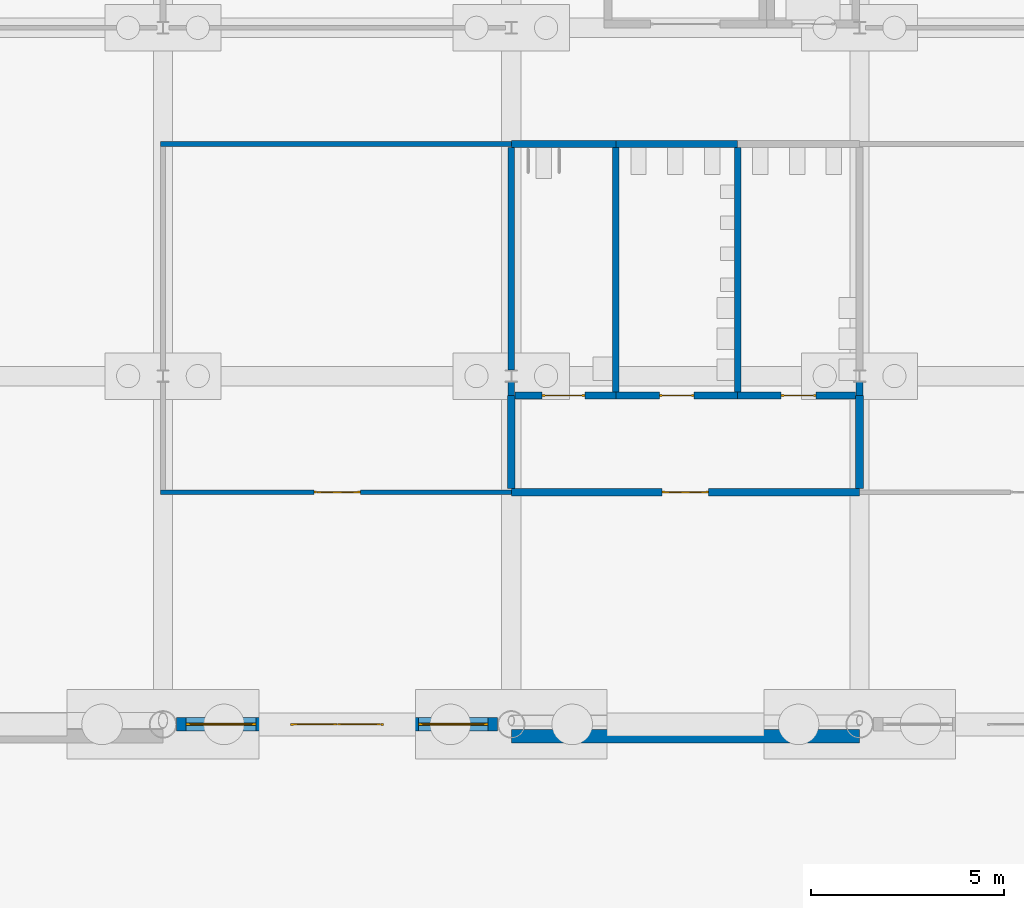
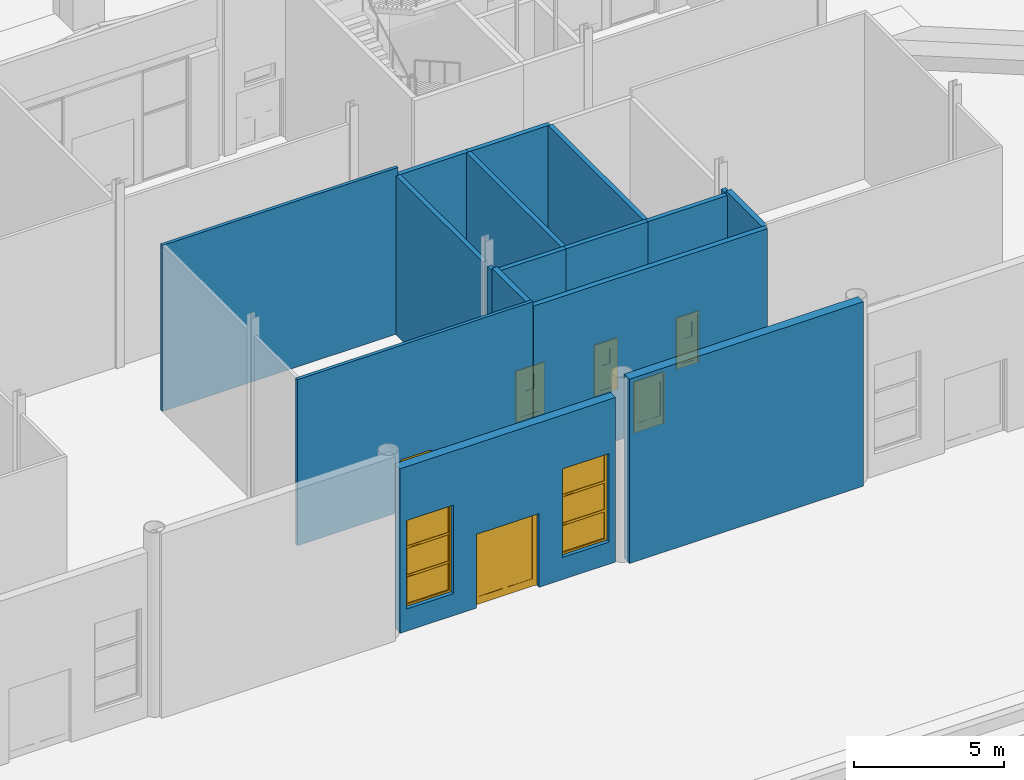
# One storey, part 110 of 250: 17 walls, 6 doors, 2 windows, 8 openings.
"""IFC4 building model written with IfcOpenShell, lengths in metres."""

from ifc_helpers import new_model, si_unit, direction, frame, frame_2d, origin, place, context, subcontext, project, spatial, polyline, rectangle, outline, extrude, material, layer, layer_set, type_object, element, fill, save


model = new_model("IFC4")

# Units and contexts
model_context = context("Model", 3, precision=1e-05, world=origin(), true_north=direction((0.0, 1.0)))
body_context = subcontext(model_context, "Body", "Model", "MODEL_VIEW")
ifc_project = project(units=[si_unit("LENGTHUNIT", "METRE"), si_unit("AREAUNIT", "SQUARE_METRE"), si_unit("VOLUMEUNIT", "CUBIC_METRE"), si_unit("PLANEANGLEUNIT", "RADIAN"), si_unit("MASSUNIT", "GRAM", prefix="KILO")], contexts=[model_context])

# Site, building, storey
site_placement = place(None, origin())
site = spatial("IfcSite", under=ifc_project, at=site_placement, CompositionType="ELEMENT")
building_placement = place(site_placement, origin())
building = spatial("IfcBuilding", under=site, at=building_placement, Name="Baradari Gate Terminus", CompositionType="ELEMENT")
storey_placement = place(building_placement, origin())
storey = spatial("IfcBuildingStorey", under=building, at=storey_placement, Name="L00", CompositionType="ELEMENT", Elevation=0.0)

# Wall
ifc_material_1 = material(Name="Gypsum board")
ifc_layer_1 = layer(ifc_material_1, 0.125)
ifc_layer_set_1 = layer_set([ifc_layer_1], Name="Gypsum board")
wall_type_1 = type_object("IfcWallType", Name="Corridor partition PT-5 125 EI 30", PredefinedType="PARTITIONING", material=ifc_layer_set_1)
wall_1_placement = place(storey_placement, frame((117.0, 96.0, 0.0), z_axis=(0.0, 0.0, 1.0), x_axis=(-1.0, 0.0, 0.0)))
element("IfcWall", 1, at=wall_1_placement, inside=storey, type_object=wall_type_1, Name="PT-5 partition Corridor (Service Corridor West) / Travel Centre", PredefinedType="PARTITIONING", context=body_context, shape_type="SweptSolid", body=[
    extrude(rectangle(XDim=9.0625, YDim=0.125, at=frame_2d((4.53125, 0.0))), origin(), (0.0, 0.0, 1.0), 6.757080078125),
])

# Wall, opening, door
wall_2_placement = place(storey_placement, frame((107.9375, 87.0, 0.0), z_axis=(0.0, 0.0, 1.0), x_axis=(1.0, 0.0, 0.0)))
wall_2 = element("IfcWall", 2, at=wall_2_placement, inside=storey, type_object=wall_type_1, Name="PT-5 partition Corridor (Platform Passage West) / Travel Centre", PredefinedType="PARTITIONING", context=body_context, shape_type="SweptSolid", body=[
    extrude(rectangle(XDim=9.0625, YDim=0.125, at=frame_2d((4.53125, 0.0))), origin(), (0.0, 0.0, 1.0), 6.757080078125),
])
opening_1_placement = place(wall_2_placement, frame((3.96240234375, 0.0, 0.0)))
opening_1 = element("IfcOpeningElement", 3, at=opening_1_placement, cuts=wall_2, Name="Opening D00-105", PredefinedType="OPENING", context=body_context, shape_type="SweptSolid", body=[
    extrude(rectangle(XDim=1.199951171875, YDim=2.10009765625, at=frame_2d((0.60009765625, 1.050048828125))), frame((0.0, 0.072509765625, 0.0), z_axis=(0.0, -1.0, 0.0), x_axis=(1.0, 0.0, 0.0)), (0.0, 0.0, 1.0), 0.14501953125),
])
ifc_material_2 = material(Name="Steel S275", Category="steel")
door_type_1 = type_object("IfcDoorType", Name="Fire door FI-1200-FD30S 1200x2100 FD30S", OperationType="DOUBLE_DOOR_SINGLE_SWING", PredefinedType="DOOR", material=ifc_material_2)
door_1_placement = place(opening_1_placement, origin())
door_1 = element("IfcDoor", 4, at=door_1_placement, inside=storey, type_object=door_type_1, Name="Door Travel Centre", OperationType="DOUBLE_DOOR_SINGLE_SWING", OverallHeight=2.1, OverallWidth=1.2, PredefinedType="DOOR", context=body_context, shape_type="SweptSolid", body=[
    extrude(outline(polyline([(0.0, 0.0), (0.070068359375, 0.0), (0.070068359375, 2.030029296875), (1.1298828125, 2.030029296875), (1.1298828125, 0.0), (1.199951171875, 0.0), (1.199951171875, 2.10009765625), (0.0, 2.10009765625), (0.0, 0.0)])), frame((0.0, 0.02490234375, 0.0), z_axis=(0.0, -1.0, 0.0), x_axis=(1.0, 0.0, 0.0)), (0.0, 0.0, 1.0), 0.050048828125),
    extrude(outline(polyline([(0.073974609375, 0.010009765625), (0.596923828125, 0.010009765625), (0.596923828125, 2.026123046875), (0.073974609375, 2.026123046875), (0.073974609375, 0.010009765625)]), holes=[polyline([(0.178466796875, 0.372802734375), (0.492431640625, 0.372802734375), (0.492431640625, 1.7841796875), (0.178466796875, 1.7841796875), (0.178466796875, 0.372802734375)])]), frame((0.0, 0.017333984375, 0.0), z_axis=(0.0, -1.0, 0.0), x_axis=(1.0, 0.0, 0.0)), (0.0, 0.0, 1.0), 0.034912109375),
    extrude(rectangle(XDim=0.31396484375, YDim=1.411376953125, at=frame_2d((0.33544921875, 1.07861328125))), frame((0.0, 0.008544921875, 0.0), z_axis=(0.0, -1.0, 0.0), x_axis=(1.0, 0.0, 0.0)), (0.0, 0.0, 1.0), 0.017333984375),
    extrude(outline(polyline([(0.60302734375, 0.010009765625), (1.1259765625, 0.010009765625), (1.1259765625, 2.026123046875), (0.60302734375, 2.026123046875), (0.60302734375, 0.010009765625)]), holes=[polyline([(0.70751953125, 0.372802734375), (1.021484375, 0.372802734375), (1.021484375, 1.7841796875), (0.70751953125, 1.7841796875), (0.70751953125, 0.372802734375)])]), frame((0.0, 0.017333984375, 0.0), z_axis=(0.0, -1.0, 0.0), x_axis=(1.0, 0.0, 0.0)), (0.0, 0.0, 1.0), 0.034912109375),
    extrude(rectangle(XDim=0.31396484375, YDim=1.411376953125, at=frame_2d((0.864501953125, 1.07861328125))), frame((0.0, 0.008544921875, 0.0), z_axis=(0.0, -1.0, 0.0), x_axis=(1.0, 0.0, 0.0)), (0.0, 0.0, 1.0), 0.017333984375),
])
fill(opening_1, door_1)

ifc_material_3 = material(Name="Blockwork wall, plastered, fire rated", Category="masonry")
ifc_layer_2 = layer(ifc_material_3, 0.199951171875)
ifc_layer_set_2 = layer_set([ifc_layer_2], Name="Blockwork wall, plastered, fire rated")
wall_type_2 = type_object("IfcWallType", Name="Lobby partition PT-4 200 EI 60", PredefinedType="PARTITIONING", material=ifc_layer_set_2)
wall_3_placement = place(storey_placement, frame((117.0, 87.0, 0.0), z_axis=(0.0, 0.0, 1.0), x_axis=(1.0, 0.0, 0.0)))
wall_3 = element("IfcWall", 5, at=wall_3_placement, inside=storey, type_object=wall_type_2, Name="PT-4 partition Corridor (Platform Passage West) / WC Lobby", PredefinedType="PARTITIONING", context=body_context, shape_type="SweptSolid", body=[
    extrude(rectangle(XDim=9.0, YDim=0.199951171875, at=frame_2d((4.5, 0.0))), origin(), (0.0, 0.0, 1.0), 6.60009765625),
])
opening_2_placement = place(wall_3_placement, frame((3.89990234375, 0.0, 0.0)))
opening_2 = element("IfcOpeningElement", 6, at=opening_2_placement, cuts=wall_3, Name="Opening D00-106", PredefinedType="OPENING", context=body_context, shape_type="SweptSolid", body=[
    extrude(rectangle(XDim=1.199951171875, YDim=2.10009765625, at=frame_2d((0.60009765625, 1.050048828125))), frame((0.0, 0.10986328125, 0.0), z_axis=(0.0, -1.0, 0.0), x_axis=(1.0, 0.0, 0.0)), (0.0, 0.0, 1.0), 0.219970703125),
])
ifc_material_4 = material(Name="Steel S275", Category="steel")
door_type_2 = type_object("IfcDoorType", Name="Fire door FI-1200-FD60S 1200x2100 FD60S", OperationType="DOUBLE_DOOR_SINGLE_SWING", PredefinedType="DOOR", material=ifc_material_4)
door_2_placement = place(opening_2_placement, origin())
door_2 = element("IfcDoor", 7, at=door_2_placement, inside=storey, type_object=door_type_2, Name="Door WC Lobby", OperationType="DOUBLE_DOOR_SINGLE_SWING", OverallHeight=2.1, OverallWidth=1.2, PredefinedType="DOOR", context=body_context, shape_type="SweptSolid", body=[
    extrude(outline(polyline([(0.0, 0.0), (0.070068359375, 0.0), (0.070068359375, 2.030029296875), (1.1298828125, 2.030029296875), (1.1298828125, 0.0), (1.199951171875, 0.0), (1.199951171875, 2.10009765625), (0.0, 2.10009765625), (0.0, 0.0)])), frame((0.0, 0.02490234375, 0.0), z_axis=(0.0, -1.0, 0.0), x_axis=(1.0, 0.0, 0.0)), (0.0, 0.0, 1.0), 0.050048828125),
    extrude(outline(polyline([(0.073974609375, 0.010009765625), (0.596923828125, 0.010009765625), (0.596923828125, 2.026123046875), (0.073974609375, 2.026123046875), (0.073974609375, 0.010009765625)]), holes=[polyline([(0.178466796875, 0.372802734375), (0.492431640625, 0.372802734375), (0.492431640625, 1.7841796875), (0.178466796875, 1.7841796875), (0.178466796875, 0.372802734375)])]), frame((0.0, 0.017333984375, 0.0), z_axis=(0.0, -1.0, 0.0), x_axis=(1.0, 0.0, 0.0)), (0.0, 0.0, 1.0), 0.034912109375),
    extrude(rectangle(XDim=0.31396484375, YDim=1.411376953125, at=frame_2d((0.33544921875, 1.07861328125))), frame((0.0, 0.008544921875, 0.0), z_axis=(0.0, -1.0, 0.0), x_axis=(1.0, 0.0, 0.0)), (0.0, 0.0, 1.0), 0.017333984375),
    extrude(outline(polyline([(0.60302734375, 0.010009765625), (1.1259765625, 0.010009765625), (1.1259765625, 2.026123046875), (0.60302734375, 2.026123046875), (0.60302734375, 0.010009765625)]), holes=[polyline([(0.70751953125, 0.372802734375), (1.021484375, 0.372802734375), (1.021484375, 1.7841796875), (0.70751953125, 1.7841796875), (0.70751953125, 0.372802734375)])]), frame((0.0, 0.017333984375, 0.0), z_axis=(0.0, -1.0, 0.0), x_axis=(1.0, 0.0, 0.0)), (0.0, 0.0, 1.0), 0.034912109375),
    extrude(rectangle(XDim=0.31396484375, YDim=1.411376953125, at=frame_2d((0.864501953125, 1.07861328125))), frame((0.0, 0.008544921875, 0.0), z_axis=(0.0, -1.0, 0.0), x_axis=(1.0, 0.0, 0.0)), (0.0, 0.0, 1.0), 0.017333984375),
])
fill(opening_2, door_2)

# Walls
for number, where, z_axis, x_axis, name in (
    (8, (117.0, 89.5, 0.0), (0.0, 0.0, 1.0), (0.0, -1.0, 0.0), "PT-4 partition Travel Centre / WC Lobby"),
    (9, (126.0, 89.5, 0.0), (0.0, 0.0, 1.0), (0.0, -1.0, 0.0), "PT-4 partition WC Lobby / Booking Office"),
):
    element("IfcWall", number, at=place(storey_placement, frame(where, z_axis=z_axis, x_axis=x_axis)), inside=storey, type_object=wall_type_2, Name=name, PredefinedType="PARTITIONING", context=body_context, shape_type="SweptSolid", body=[
        extrude(rectangle(XDim=2.39990234375, YDim=0.199951171875, at=frame_2d((1.199951171875, 0.0))), origin(), (0.0, 0.0, 1.0), 6.60009765625),
    ])

# Wall, openings, door, windows
ifc_material_5 = material(Name="Sandstone masonry", Category="masonry")
ifc_layer_3 = layer(ifc_material_5, 0.35009765625)
ifc_layer_set_3 = layer_set([ifc_layer_3], Name="Sandstone masonry")
wall_type_3 = type_object("IfcWallType", Name="Sandstone masonry wall WS-1 350", PredefinedType="SOLIDWALL", material=ifc_layer_set_3)
wall_4_placement = place(storey_placement, frame((108.35546875, 81.0, 0.0), z_axis=(0.0, 0.0, 1.0), x_axis=(1.0, 0.0, 0.0)))
wall_4 = element("IfcWall", 10, at=wall_4_placement, inside=storey, type_object=wall_type_3, Name="platform side HS bay 13 L00", PredefinedType="SOLIDWALL", context=body_context, shape_type="SweptSolid", body=[
    extrude(rectangle(XDim=8.2890625, YDim=0.35009765625, at=frame_2d((4.14453125, 0.0))), origin(), (0.0, 0.0, 1.0), 6.692138671875),
])
opening_3_placement = place(wall_4_placement, frame((2.944580078125, 0.0, 0.0)))
opening_3 = element("IfcOpeningElement", 11, at=opening_3_placement, cuts=wall_4, Name="Opening D00-034", PredefinedType="OPENING", context=body_context, shape_type="SweptSolid", body=[
    extrude(rectangle(XDim=2.39990234375, YDim=3.0, at=frame_2d((1.199951171875, 1.5))), frame((0.0, 0.18505859375, 0.0), z_axis=(0.0, -1.0, 0.0), x_axis=(1.0, 0.0, 0.0)), (0.0, 0.0, 1.0), 0.3701171875),
])
opening_4_placement = place(wall_4_placement, frame((0.244384765625, 0.0, 0.89990234375)))
opening_4 = element("IfcOpeningElement", 12, at=opening_4_placement, cuts=wall_4, Name="Opening W3", PredefinedType="OPENING", context=body_context, shape_type="SweptSolid", body=[
    extrude(rectangle(XDim=1.800048828125, YDim=3.60009765625, at=frame_2d((0.89990234375, 1.800048828125))), frame((0.0, 0.18505859375, 0.0), z_axis=(0.0, -1.0, 0.0), x_axis=(1.0, 0.0, 0.0)), (0.0, 0.0, 1.0), 0.3701171875),
])
opening_5_placement = place(wall_4_placement, frame((6.244384765625, 0.0, 0.89990234375)))
opening_5 = element("IfcOpeningElement", 13, at=opening_5_placement, cuts=wall_4, Name="Opening W3", PredefinedType="OPENING", context=body_context, shape_type="SweptSolid", body=[
    extrude(rectangle(XDim=1.800048828125, YDim=3.60009765625, at=frame_2d((0.89990234375, 1.800048828125))), frame((0.0, 0.18505859375, 0.0), z_axis=(0.0, -1.0, 0.0), x_axis=(1.0, 0.0, 0.0)), (0.0, 0.0, 1.0), 0.3701171875),
])
ifc_material_6 = material(Name="Aluminium 6063-T6", Category="aluminium")
door_type_3 = type_object("IfcDoorType", Name="Platform door pair, glazed DT-7 2400x3000", OperationType="DOUBLE_DOOR_SINGLE_SWING", PredefinedType="DOOR", material=ifc_material_6)
door_3_placement = place(opening_3_placement, frame((2.39990234375, 0.0, 0.0), z_axis=(0.0, 0.0, 1.0), x_axis=(-1.0, 0.0, 0.0)))
door_3 = element("IfcDoor", 14, at=door_3_placement, inside=storey, type_object=door_type_3, Name="Exit door Corridor (Platform Passage West)", OperationType="DOUBLE_DOOR_SINGLE_SWING", OverallHeight=3.0, OverallWidth=2.4, PredefinedType="DOOR", context=body_context, shape_type="SweptSolid", body=[
    extrude(outline(polyline([(0.0, 0.0), (0.070068359375, 0.0), (0.070068359375, 2.929931640625), (2.329833984375, 2.929931640625), (2.329833984375, 0.0), (2.39990234375, 0.0), (2.39990234375, 3.0), (0.0, 3.0), (0.0, 0.0)])), frame((0.0, 0.02490234375, 0.0), z_axis=(0.0, -1.0, 0.0), x_axis=(1.0, 0.0, 0.0)), (0.0, 0.0, 1.0), 0.050048828125),
    extrude(outline(polyline([(0.073974609375, 0.010009765625), (1.19677734375, 0.010009765625), (1.19677734375, 2.926025390625), (0.073974609375, 2.926025390625), (0.073974609375, 0.010009765625)]), holes=[polyline([(0.1640625, 0.31005859375), (1.10693359375, 0.31005859375), (1.10693359375, 2.8359375), (0.1640625, 2.8359375), (0.1640625, 0.31005859375)])]), frame((0.0, 0.017333984375, 0.0), z_axis=(0.0, -1.0, 0.0), x_axis=(1.0, 0.0, 0.0)), (0.0, 0.0, 1.0), 0.034912109375),
    extrude(rectangle(XDim=0.94287109375, YDim=2.52587890625, at=frame_2d((0.635498046875, 1.572998046875))), frame((0.0, 0.005859375, 0.0), z_axis=(0.0, -1.0, 0.0), x_axis=(1.0, 0.0, 0.0)), (0.0, 0.0, 1.0), 0.011962890625),
    extrude(outline(polyline([(1.203125, 0.010009765625), (2.325927734375, 0.010009765625), (2.325927734375, 2.926025390625), (1.203125, 2.926025390625), (1.203125, 0.010009765625)]), holes=[polyline([(1.29296875, 0.31005859375), (2.23583984375, 0.31005859375), (2.23583984375, 2.8359375), (1.29296875, 2.8359375), (1.29296875, 0.31005859375)])]), frame((0.0, 0.017333984375, 0.0), z_axis=(0.0, -1.0, 0.0), x_axis=(1.0, 0.0, 0.0)), (0.0, 0.0, 1.0), 0.034912109375),
    extrude(rectangle(XDim=0.94287109375, YDim=2.52587890625, at=frame_2d((1.764404296875, 1.572998046875))), frame((0.0, 0.005859375, 0.0), z_axis=(0.0, -1.0, 0.0), x_axis=(1.0, 0.0, 0.0)), (0.0, 0.0, 1.0), 0.011962890625),
])
fill(opening_3, door_3)
ifc_material_7 = material(Name="Aluminium 6063-T6", Category="aluminium")
window_type = type_object("IfcWindowType", Name="Tall window, 3-light W3 1800x3600", PartitioningType="TRIPLE_PANEL_HORIZONTAL", PredefinedType="WINDOW", material=ifc_material_7)
window_1_placement = place(opening_4_placement, origin())
window_1 = element("IfcWindow", 15, at=window_1_placement, inside=storey, type_object=window_type, Name="Window W3 HS/12", OverallHeight=3.6, OverallWidth=1.8, PartitioningType="TRIPLE_PANEL_HORIZONTAL", PredefinedType="WINDOW", context=body_context, shape_type="SweptSolid", body=[
    extrude(outline(polyline([(0.0, 0.0), (1.800048828125, 0.0), (1.800048828125, 3.60009765625), (0.0, 3.60009765625), (0.0, 0.0)]), holes=[polyline([(0.070068359375, 0.070068359375), (1.72998046875, 0.070068359375), (1.72998046875, 3.530029296875), (0.070068359375, 3.530029296875), (0.070068359375, 0.070068359375)])]), frame((0.0, 0.030029296875, 0.0), z_axis=(0.0, -1.0, 0.0), x_axis=(1.0, 0.0, 0.0)), (0.0, 0.0, 1.0), 0.06005859375),
    extrude(rectangle(XDim=1.659912109375, YDim=0.0400390625, at=frame_2d((0.89990234375, 1.216796875))), frame((0.0, 0.021484375, 0.0), z_axis=(0.0, -1.0, 0.0), x_axis=(1.0, 0.0, 0.0)), (0.0, 0.0, 1.0), 0.04296875),
    extrude(rectangle(XDim=1.659912109375, YDim=0.0400390625, at=frame_2d((0.89990234375, 2.38330078125))), frame((0.0, 0.021484375, 0.0), z_axis=(0.0, -1.0, 0.0), x_axis=(1.0, 0.0, 0.0)), (0.0, 0.0, 1.0), 0.04296875),
    extrude(outline(polyline([(0.070068359375, 0.070068359375), (1.72998046875, 0.070068359375), (1.72998046875, 1.19677734375), (0.070068359375, 1.19677734375), (0.070068359375, 0.070068359375)]), holes=[polyline([(0.10009765625, 0.10009765625), (1.699951171875, 0.10009765625), (1.699951171875, 1.166748046875), (0.10009765625, 1.166748046875), (0.10009765625, 0.10009765625)])]), frame((0.0, 0.0224609375, 0.0), z_axis=(0.0, -1.0, 0.0), x_axis=(1.0, 0.0, 0.0)), (0.0, 0.0, 1.0), 0.044921875),
    extrude(rectangle(XDim=1.599853515625, YDim=1.066650390625, at=frame_2d((0.89990234375, 0.63330078125))), frame((0.0, 0.006103515625, 0.0), z_axis=(0.0, -1.0, 0.0), x_axis=(1.0, 0.0, 0.0)), (0.0, 0.0, 1.0), 0.01220703125),
    extrude(outline(polyline([(0.070068359375, 1.23681640625), (1.72998046875, 1.23681640625), (1.72998046875, 2.36328125), (0.070068359375, 2.36328125), (0.070068359375, 1.23681640625)]), holes=[polyline([(0.10009765625, 1.266845703125), (1.699951171875, 1.266845703125), (1.699951171875, 2.333251953125), (0.10009765625, 2.333251953125), (0.10009765625, 1.266845703125)])]), frame((0.0, 0.0224609375, 0.0), z_axis=(0.0, -1.0, 0.0), x_axis=(1.0, 0.0, 0.0)), (0.0, 0.0, 1.0), 0.044921875),
    extrude(rectangle(XDim=1.599853515625, YDim=1.06640625, at=frame_2d((0.89990234375, 1.800048828125))), frame((0.0, 0.006103515625, 0.0), z_axis=(0.0, -1.0, 0.0), x_axis=(1.0, 0.0, 0.0)), (0.0, 0.0, 1.0), 0.01220703125),
    extrude(outline(polyline([(0.070068359375, 2.4033203125), (1.72998046875, 2.4033203125), (1.72998046875, 3.530029296875), (0.070068359375, 3.530029296875), (0.070068359375, 2.4033203125)]), holes=[polyline([(0.10009765625, 2.433349609375), (1.699951171875, 2.433349609375), (1.699951171875, 3.5), (0.10009765625, 3.5), (0.10009765625, 2.433349609375)])]), frame((0.0, 0.0224609375, 0.0), z_axis=(0.0, -1.0, 0.0), x_axis=(1.0, 0.0, 0.0)), (0.0, 0.0, 1.0), 0.044921875),
    extrude(rectangle(XDim=1.599853515625, YDim=1.066650390625, at=frame_2d((0.89990234375, 2.966796875))), frame((0.0, 0.006103515625, 0.0), z_axis=(0.0, -1.0, 0.0), x_axis=(1.0, 0.0, 0.0)), (0.0, 0.0, 1.0), 0.01220703125),
])
fill(opening_4, window_1)
window_2_placement = place(opening_5_placement, origin())
window_2 = element("IfcWindow", 16, at=window_2_placement, inside=storey, type_object=window_type, Name="Window W3 HS/12", OverallHeight=3.6, OverallWidth=1.8, PartitioningType="TRIPLE_PANEL_HORIZONTAL", PredefinedType="WINDOW", context=body_context, shape_type="SweptSolid", body=[
    extrude(outline(polyline([(0.0, 0.0), (1.800048828125, 0.0), (1.800048828125, 3.60009765625), (0.0, 3.60009765625), (0.0, 0.0)]), holes=[polyline([(0.070068359375, 0.070068359375), (1.72998046875, 0.070068359375), (1.72998046875, 3.530029296875), (0.070068359375, 3.530029296875), (0.070068359375, 0.070068359375)])]), frame((0.0, 0.030029296875, 0.0), z_axis=(0.0, -1.0, 0.0), x_axis=(1.0, 0.0, 0.0)), (0.0, 0.0, 1.0), 0.06005859375),
    extrude(rectangle(XDim=1.659912109375, YDim=0.0400390625, at=frame_2d((0.89990234375, 1.216796875))), frame((0.0, 0.021484375, 0.0), z_axis=(0.0, -1.0, 0.0), x_axis=(1.0, 0.0, 0.0)), (0.0, 0.0, 1.0), 0.04296875),
    extrude(rectangle(XDim=1.659912109375, YDim=0.0400390625, at=frame_2d((0.89990234375, 2.38330078125))), frame((0.0, 0.021484375, 0.0), z_axis=(0.0, -1.0, 0.0), x_axis=(1.0, 0.0, 0.0)), (0.0, 0.0, 1.0), 0.04296875),
    extrude(outline(polyline([(0.070068359375, 0.070068359375), (1.72998046875, 0.070068359375), (1.72998046875, 1.19677734375), (0.070068359375, 1.19677734375), (0.070068359375, 0.070068359375)]), holes=[polyline([(0.10009765625, 0.10009765625), (1.699951171875, 0.10009765625), (1.699951171875, 1.166748046875), (0.10009765625, 1.166748046875), (0.10009765625, 0.10009765625)])]), frame((0.0, 0.0224609375, 0.0), z_axis=(0.0, -1.0, 0.0), x_axis=(1.0, 0.0, 0.0)), (0.0, 0.0, 1.0), 0.044921875),
    extrude(rectangle(XDim=1.599853515625, YDim=1.066650390625, at=frame_2d((0.89990234375, 0.63330078125))), frame((0.0, 0.006103515625, 0.0), z_axis=(0.0, -1.0, 0.0), x_axis=(1.0, 0.0, 0.0)), (0.0, 0.0, 1.0), 0.01220703125),
    extrude(outline(polyline([(0.070068359375, 1.23681640625), (1.72998046875, 1.23681640625), (1.72998046875, 2.36328125), (0.070068359375, 2.36328125), (0.070068359375, 1.23681640625)]), holes=[polyline([(0.10009765625, 1.266845703125), (1.699951171875, 1.266845703125), (1.699951171875, 2.333251953125), (0.10009765625, 2.333251953125), (0.10009765625, 1.266845703125)])]), frame((0.0, 0.0224609375, 0.0), z_axis=(0.0, -1.0, 0.0), x_axis=(1.0, 0.0, 0.0)), (0.0, 0.0, 1.0), 0.044921875),
    extrude(rectangle(XDim=1.599853515625, YDim=1.06640625, at=frame_2d((0.89990234375, 1.800048828125))), frame((0.0, 0.006103515625, 0.0), z_axis=(0.0, -1.0, 0.0), x_axis=(1.0, 0.0, 0.0)), (0.0, 0.0, 1.0), 0.01220703125),
    extrude(outline(polyline([(0.070068359375, 2.4033203125), (1.72998046875, 2.4033203125), (1.72998046875, 3.530029296875), (0.070068359375, 3.530029296875), (0.070068359375, 2.4033203125)]), holes=[polyline([(0.10009765625, 2.433349609375), (1.699951171875, 2.433349609375), (1.699951171875, 3.5), (0.10009765625, 3.5), (0.10009765625, 2.433349609375)])]), frame((0.0, 0.0224609375, 0.0), z_axis=(0.0, -1.0, 0.0), x_axis=(1.0, 0.0, 0.0)), (0.0, 0.0, 1.0), 0.044921875),
    extrude(rectangle(XDim=1.599853515625, YDim=1.066650390625, at=frame_2d((0.89990234375, 2.966796875))), frame((0.0, 0.006103515625, 0.0), z_axis=(0.0, -1.0, 0.0), x_axis=(1.0, 0.0, 0.0)), (0.0, 0.0, 1.0), 0.01220703125),
])
fill(opening_5, window_2)

# Walls
wall_5_placement = place(storey_placement, frame((117.0, 80.68994140625, 0.0), z_axis=(0.0, 0.0, 1.0), x_axis=(1.0, 0.0, 0.0)))
element("IfcWall", 17, at=wall_5_placement, inside=storey, type_object=wall_type_3, Name="External wall platform side bay 13 L00", PredefinedType="SOLIDWALL", context=body_context, shape_type="SweptSolid", body=[
    extrude(rectangle(XDim=9.0, YDim=0.35009765625, at=frame_2d((4.5, 0.0))), origin(), (0.0, 0.0, 1.0), 7.5),
])
ifc_material_8 = material(Name="Blockwork wall, tiled both faces", Category="masonry")
ifc_layer_4 = layer(ifc_material_8, 0.175048828125)
ifc_layer_set_4 = layer_set([ifc_layer_4], Name="Blockwork wall, tiled both faces")
wall_type_4 = type_object("IfcWallType", Name="WC wet wall PT-6 175 EI 60", PredefinedType="PARTITIONING", material=ifc_layer_set_4)
wall_6_placement = place(storey_placement, frame((122.85009765625, 96.0, 0.0), z_axis=(0.0, 0.0, 1.0), x_axis=(-1.0, 0.0, 0.0)))
element("IfcWall", 18, at=wall_6_placement, inside=storey, type_object=wall_type_4, Name="PT-6 partition Corridor (Service Corridor West) / Male WC", PredefinedType="PARTITIONING", context=body_context, shape_type="SweptSolid", body=[
    extrude(rectangle(XDim=3.150146484375, YDim=0.175048828125, at=frame_2d((1.5751953125, 0.0))), origin(), (0.0, 0.0, 1.0), 6.458984375),
])
wall_7_placement = place(storey_placement, frame((119.699951171875, 96.0, 0.0), z_axis=(0.0, 0.0, 1.0), x_axis=(-1.0, 0.0, 0.0)))
element("IfcWall", 19, at=wall_7_placement, inside=storey, type_object=wall_type_4, Name="PT-6 partition Corridor (Service Corridor West) / Accessible WC", PredefinedType="PARTITIONING", context=body_context, shape_type="SweptSolid", body=[
    extrude(rectangle(XDim=2.699951171875, YDim=0.175048828125, at=frame_2d((1.35009765625, 0.0))), origin(), (0.0, 0.0, 1.0), 6.458984375),
])
wall_8_placement = place(storey_placement, frame((117.0, 95.91259765625, 0.0), z_axis=(0.0, 0.0, 1.0), x_axis=(0.0, -1.0, 0.0)))
element("IfcWall", 20, at=wall_8_placement, inside=storey, type_object=wall_type_4, Name="PT-6 partition Travel Centre / Accessible WC", PredefinedType="PARTITIONING", context=body_context, shape_type="SweptSolid", body=[
    extrude(rectangle(XDim=5.75537109375, YDim=0.175048828125, at=frame_2d((2.877685546875, 0.0))), origin(), (0.0, 0.0, 1.0), 6.458984375),
])
wall_9_placement = place(storey_placement, frame((117.0, 89.8427734375, 0.0), z_axis=(0.0, 0.0, 1.0), x_axis=(0.0, -1.0, 0.0)))
element("IfcWall", 21, at=wall_9_placement, inside=storey, type_object=wall_type_4, Name="PT-6 partition Travel Centre / Accessible WC", PredefinedType="PARTITIONING", context=body_context, shape_type="SweptSolid", body=[
    extrude(rectangle(XDim=0.3427734375, YDim=0.175048828125, at=frame_2d((0.17138671875, 0.0))), origin(), (0.0, 0.0, 1.0), 6.458984375),
])

# Wall, opening, door
wall_10_placement = place(storey_placement, frame((122.85009765625, 89.5, 0.0), z_axis=(0.0, 0.0, 1.0), x_axis=(1.0, 0.0, 0.0)))
wall_10 = element("IfcWall", 22, at=wall_10_placement, inside=storey, type_object=wall_type_4, Name="PT-6 partition WC Lobby / Female WC", PredefinedType="PARTITIONING", context=body_context, shape_type="SweptSolid", body=[
    extrude(rectangle(XDim=3.0498046875, YDim=0.175048828125, at=frame_2d((1.52490234375, 0.0))), origin(), (0.0, 0.0, 1.0), 6.458984375),
])
opening_6_placement = place(wall_10_placement, frame((1.125, 0.0, 0.0)))
opening_6 = element("IfcOpeningElement", 23, at=opening_6_placement, cuts=wall_10, Name="Opening D00-109", PredefinedType="OPENING", context=body_context, shape_type="SweptSolid", body=[
    extrude(rectangle(XDim=0.89990234375, YDim=2.10009765625, at=frame_2d((0.449951171875, 1.050048828125))), frame((0.0, 0.097412109375, 0.0), z_axis=(0.0, -1.0, 0.0), x_axis=(1.0, 0.0, 0.0)), (0.0, 0.0, 1.0), 0.195068359375),
])
ifc_material_9 = material(Name="Steel S275", Category="steel")
door_type_4 = type_object("IfcDoorType", Name="Fire door FI-900-FD60S 900x2100 FD60S", OperationType="SINGLE_SWING_LEFT", PredefinedType="DOOR", material=ifc_material_9)
door_4_placement = place(opening_6_placement, origin())
door_4 = element("IfcDoor", 24, at=door_4_placement, inside=storey, type_object=door_type_4, Name="Door Female WC", OperationType="SINGLE_SWING_LEFT", OverallHeight=2.1, OverallWidth=0.9, PredefinedType="DOOR", context=body_context, shape_type="SweptSolid", body=[
    extrude(outline(polyline([(0.0, 0.0), (0.070068359375, 0.0), (0.070068359375, 2.030029296875), (0.829833984375, 2.030029296875), (0.829833984375, 0.0), (0.89990234375, 0.0), (0.89990234375, 2.10009765625), (0.0, 2.10009765625), (0.0, 0.0)])), frame((0.0, 0.02490234375, 0.0), z_axis=(0.0, -1.0, 0.0), x_axis=(1.0, 0.0, 0.0)), (0.0, 0.0, 1.0), 0.050048828125),
    extrude(outline(polyline([(0.073974609375, 0.010009765625), (0.825927734375, 0.010009765625), (0.825927734375, 2.026123046875), (0.073974609375, 2.026123046875), (0.073974609375, 0.010009765625)]), holes=[polyline([(0.194091796875, 0.159912109375), (0.705810546875, 0.159912109375), (0.705810546875, 1.010009765625), (0.194091796875, 1.010009765625), (0.194091796875, 0.159912109375)]), polyline([(0.300048828125, 1.159912109375), (0.599853515625, 1.159912109375), (0.599853515625, 1.760009765625), (0.300048828125, 1.760009765625), (0.300048828125, 1.159912109375)])]), frame((0.0, 0.017333984375, 0.0), z_axis=(0.0, -1.0, 0.0), x_axis=(1.0, 0.0, 0.0)), (0.0, 0.0, 1.0), 0.034912109375),
    extrude(rectangle(XDim=0.51171875, YDim=0.85009765625, at=frame_2d((0.449951171875, 0.5849609375))), frame((0.0, 0.008544921875, 0.0), z_axis=(0.0, -1.0, 0.0), x_axis=(1.0, 0.0, 0.0)), (0.0, 0.0, 1.0), 0.017333984375),
    extrude(rectangle(XDim=0.2998046875, YDim=0.60009765625, at=frame_2d((0.449951171875, 1.4599609375))), frame((0.0, 0.005859375, 0.0), z_axis=(0.0, -1.0, 0.0), x_axis=(1.0, 0.0, 0.0)), (0.0, 0.0, 1.0), 0.011962890625),
])
fill(opening_6, door_4)

wall_11_placement = place(storey_placement, frame((119.699951171875, 89.5, 0.0), z_axis=(0.0, 0.0, 1.0), x_axis=(1.0, 0.0, 0.0)))
wall_11 = element("IfcWall", 25, at=wall_11_placement, inside=storey, type_object=wall_type_4, Name="PT-6 partition WC Lobby / Male WC", PredefinedType="PARTITIONING", context=body_context, shape_type="SweptSolid", body=[
    extrude(rectangle(XDim=3.150146484375, YDim=0.175048828125, at=frame_2d((1.5751953125, 0.0))), origin(), (0.0, 0.0, 1.0), 6.458984375),
])
opening_7_placement = place(wall_11_placement, frame((1.125, 0.0, 0.0)))
opening_7 = element("IfcOpeningElement", 26, at=opening_7_placement, cuts=wall_11, Name="Opening D00-108", PredefinedType="OPENING", context=body_context, shape_type="SweptSolid", body=[
    extrude(rectangle(XDim=0.89990234375, YDim=2.10009765625, at=frame_2d((0.449951171875, 1.050048828125))), frame((0.0, 0.097412109375, 0.0), z_axis=(0.0, -1.0, 0.0), x_axis=(1.0, 0.0, 0.0)), (0.0, 0.0, 1.0), 0.195068359375),
])
door_5_placement = place(opening_7_placement, origin())
door_5 = element("IfcDoor", 27, at=door_5_placement, inside=storey, type_object=door_type_4, Name="Door Male WC", OperationType="SINGLE_SWING_LEFT", OverallHeight=2.1, OverallWidth=0.9, PredefinedType="DOOR", context=body_context, shape_type="SweptSolid", body=[
    extrude(outline(polyline([(0.0, 0.0), (0.070068359375, 0.0), (0.070068359375, 2.030029296875), (0.829833984375, 2.030029296875), (0.829833984375, 0.0), (0.89990234375, 0.0), (0.89990234375, 2.10009765625), (0.0, 2.10009765625), (0.0, 0.0)])), frame((0.0, 0.02490234375, 0.0), z_axis=(0.0, -1.0, 0.0), x_axis=(1.0, 0.0, 0.0)), (0.0, 0.0, 1.0), 0.050048828125),
    extrude(outline(polyline([(0.073974609375, 0.010009765625), (0.825927734375, 0.010009765625), (0.825927734375, 2.026123046875), (0.073974609375, 2.026123046875), (0.073974609375, 0.010009765625)]), holes=[polyline([(0.194091796875, 0.159912109375), (0.705810546875, 0.159912109375), (0.705810546875, 1.010009765625), (0.194091796875, 1.010009765625), (0.194091796875, 0.159912109375)]), polyline([(0.300048828125, 1.159912109375), (0.599853515625, 1.159912109375), (0.599853515625, 1.760009765625), (0.300048828125, 1.760009765625), (0.300048828125, 1.159912109375)])]), frame((0.0, 0.017333984375, 0.0), z_axis=(0.0, -1.0, 0.0), x_axis=(1.0, 0.0, 0.0)), (0.0, 0.0, 1.0), 0.034912109375),
    extrude(rectangle(XDim=0.51171875, YDim=0.85009765625, at=frame_2d((0.449951171875, 0.5849609375))), frame((0.0, 0.008544921875, 0.0), z_axis=(0.0, -1.0, 0.0), x_axis=(1.0, 0.0, 0.0)), (0.0, 0.0, 1.0), 0.017333984375),
    extrude(rectangle(XDim=0.2998046875, YDim=0.60009765625, at=frame_2d((0.449951171875, 1.4599609375))), frame((0.0, 0.005859375, 0.0), z_axis=(0.0, -1.0, 0.0), x_axis=(1.0, 0.0, 0.0)), (0.0, 0.0, 1.0), 0.011962890625),
])
fill(opening_7, door_5)

wall_12_placement = place(storey_placement, frame((117.10009765625, 89.5, 0.0), z_axis=(0.0, 0.0, 1.0), x_axis=(1.0, 0.0, 0.0)))
wall_12 = element("IfcWall", 28, at=wall_12_placement, inside=storey, type_object=wall_type_4, Name="PT-6 partition WC Lobby / Accessible WC", PredefinedType="PARTITIONING", context=body_context, shape_type="SweptSolid", body=[
    extrude(rectangle(XDim=2.599853515625, YDim=0.175048828125, at=frame_2d((1.2998046875, 0.0))), origin(), (0.0, 0.0, 1.0), 6.458984375),
])
opening_8_placement = place(wall_12_placement, frame((0.699951171875, 0.0, 0.0)))
opening_8 = element("IfcOpeningElement", 29, at=opening_8_placement, cuts=wall_12, Name="Opening D00-107", PredefinedType="OPENING", context=body_context, shape_type="SweptSolid", body=[
    extrude(rectangle(XDim=1.10009765625, YDim=2.10009765625, at=frame_2d((0.550048828125, 1.050048828125))), frame((0.0, 0.097412109375, 0.0), z_axis=(0.0, -1.0, 0.0), x_axis=(1.0, 0.0, 0.0)), (0.0, 0.0, 1.0), 0.195068359375),
])
ifc_material_10 = material(Name="Steel S275", Category="steel")
door_type_5 = type_object("IfcDoorType", Name="Fire door FI-1100-FD60S 1100x2100 FD60S", OperationType="SINGLE_SWING_LEFT", PredefinedType="DOOR", material=ifc_material_10)
door_6_placement = place(opening_8_placement, origin())
door_6 = element("IfcDoor", 30, at=door_6_placement, inside=storey, type_object=door_type_5, Name="Door Accessible WC", OperationType="SINGLE_SWING_LEFT", OverallHeight=2.1, OverallWidth=1.1, PredefinedType="DOOR", context=body_context, shape_type="SweptSolid", body=[
    extrude(outline(polyline([(0.0, 0.0), (0.070068359375, 0.0), (0.070068359375, 2.030029296875), (1.030029296875, 2.030029296875), (1.030029296875, 0.0), (1.10009765625, 0.0), (1.10009765625, 2.10009765625), (0.0, 2.10009765625), (0.0, 0.0)])), frame((0.0, 0.02490234375, 0.0), z_axis=(0.0, -1.0, 0.0), x_axis=(1.0, 0.0, 0.0)), (0.0, 0.0, 1.0), 0.050048828125),
    extrude(outline(polyline([(0.073974609375, 0.010009765625), (1.026123046875, 0.010009765625), (1.026123046875, 2.026123046875), (0.073974609375, 2.026123046875), (0.073974609375, 0.010009765625)]), holes=[polyline([(0.194091796875, 0.159912109375), (0.906005859375, 0.159912109375), (0.906005859375, 1.010009765625), (0.194091796875, 1.010009765625), (0.194091796875, 0.159912109375)]), polyline([(0.400146484375, 1.159912109375), (0.699951171875, 1.159912109375), (0.699951171875, 1.760009765625), (0.400146484375, 1.760009765625), (0.400146484375, 1.159912109375)])]), frame((0.0, 0.017333984375, 0.0), z_axis=(0.0, -1.0, 0.0), x_axis=(1.0, 0.0, 0.0)), (0.0, 0.0, 1.0), 0.034912109375),
    extrude(rectangle(XDim=0.7119140625, YDim=0.85009765625, at=frame_2d((0.550048828125, 0.5849609375))), frame((0.0, 0.008544921875, 0.0), z_axis=(0.0, -1.0, 0.0), x_axis=(1.0, 0.0, 0.0)), (0.0, 0.0, 1.0), 0.017333984375),
    extrude(rectangle(XDim=0.2998046875, YDim=0.60009765625, at=frame_2d((0.550048828125, 1.4599609375))), frame((0.0, 0.005859375, 0.0), z_axis=(0.0, -1.0, 0.0), x_axis=(1.0, 0.0, 0.0)), (0.0, 0.0, 1.0), 0.011962890625),
])
fill(opening_8, door_6)

# Walls
for number, where, z_axis, x_axis, name in (
    (31, (119.699951171875, 95.91259765625, 0.0), (0.0, 0.0, 1.0), (0.0, -1.0, 0.0), "PT-6 partition Accessible WC / Male WC"),
    (32, (122.85009765625, 95.91259765625, 0.0), (0.0, 0.0, 1.0), (0.0, -1.0, 0.0), "PT-6 partition Male WC / Female WC"),
):
    element("IfcWall", number, at=place(storey_placement, frame(where, z_axis=z_axis, x_axis=x_axis)), inside=storey, type_object=wall_type_4, Name=name, PredefinedType="PARTITIONING", context=body_context, shape_type="SweptSolid", body=[
        extrude(rectangle(XDim=6.3251953125, YDim=0.175048828125, at=frame_2d((3.16259765625, 0.0))), origin(), (0.0, 0.0, 1.0), 6.458984375),
    ])
wall_13_placement = place(storey_placement, frame((126.0, 89.8427734375, 0.0), z_axis=(0.0, 0.0, 1.0), x_axis=(0.0, -1.0, 0.0)))
element("IfcWall", 33, at=wall_13_placement, inside=storey, type_object=wall_type_4, Name="PT-6 partition Female WC / Booking Office", PredefinedType="PARTITIONING", context=body_context, shape_type="SweptSolid", body=[
    extrude(rectangle(XDim=0.3427734375, YDim=0.175048828125, at=frame_2d((0.17138671875, 0.0))), origin(), (0.0, 0.0, 1.0), 6.458984375),
])

save(model, "model.ifc")
